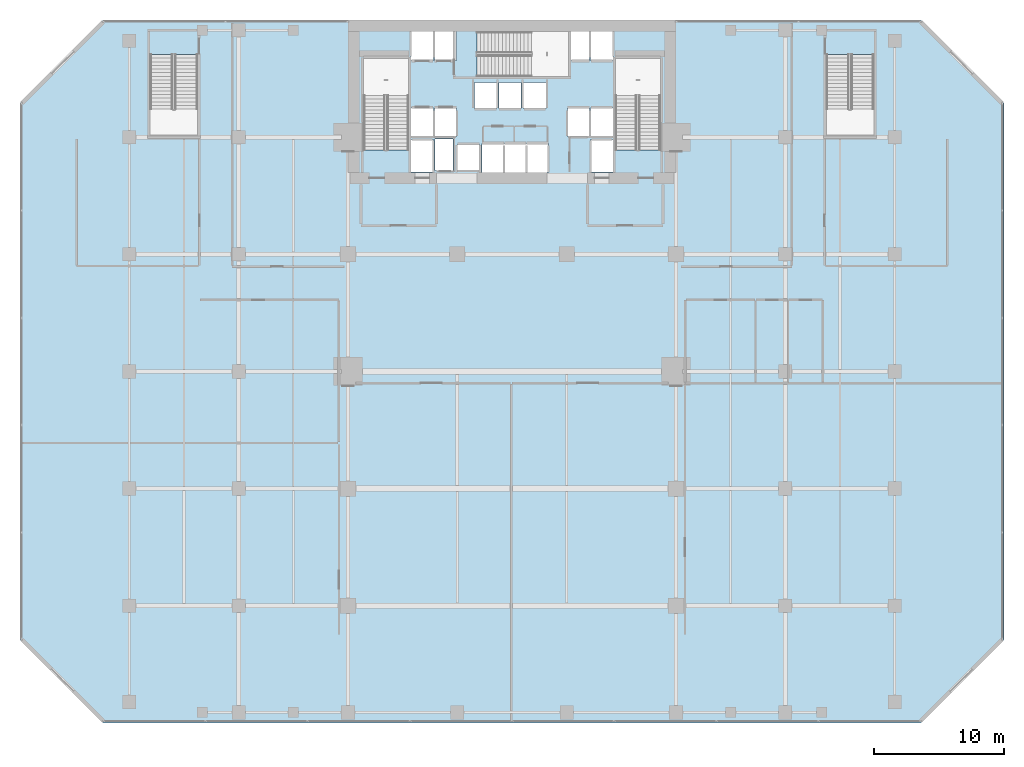
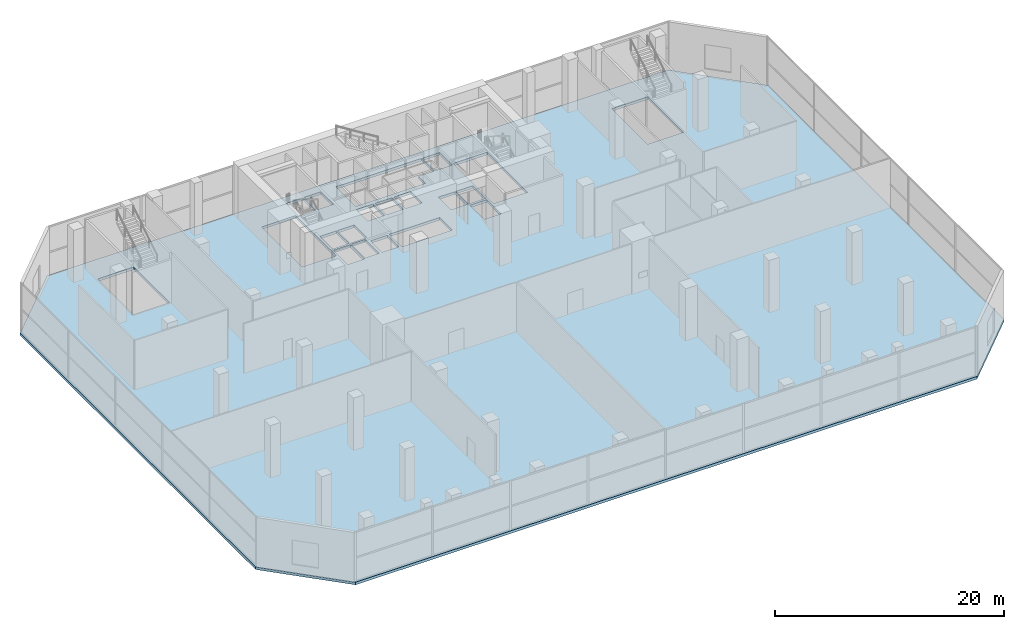
# One storey, part 32 of 40: 1 slab.
"""IFC4 building model written with IfcOpenShell, lengths in metres."""

from ifc_helpers import new_model, si_unit, direction, frame, origin, place, context, subcontext, project, spatial, polyline, outline, extrude, material, layer, layer_set, type_object, element, save


model = new_model("IFC4")

# Units and contexts
model_context = context("Model", 3, precision=1e-05, world=origin(), true_north=direction((0.0, 1.0)))
body_context = subcontext(model_context, "Body", "Model", "MODEL_VIEW")
ifc_project = project(units=[si_unit("LENGTHUNIT", "METRE"), si_unit("AREAUNIT", "SQUARE_METRE"), si_unit("VOLUMEUNIT", "CUBIC_METRE"), si_unit("PLANEANGLEUNIT", "RADIAN"), si_unit("MASSUNIT", "GRAM", prefix="KILO")], contexts=[model_context])

# Site, building, storey
site_placement = place(None, origin())
site = spatial("IfcSite", under=ifc_project, at=site_placement, CompositionType="ELEMENT")
building_placement = place(site_placement, origin())
building = spatial("IfcBuilding", under=site, at=building_placement, Name="Maruvema Waterfront Hotel and Observation Tower", CompositionType="ELEMENT")
storey_placement = place(building_placement, frame((0.0, 0.0, 10.85009765625)))
storey = spatial("IfcBuildingStorey", under=building, at=storey_placement, Name="L02", CompositionType="ELEMENT", Elevation=10.85009765625)

# Slab
ifc_material = material(Name="Concrete C50/60", Category="concrete")
ifc_layer = layer(ifc_material, 0.280029296875, Name="Reinforced Concrete Floor Slab 280 mm")
ifc_layer_set = layer_set([ifc_layer], Name="Concrete C50/60")
slab_type = type_object("IfcSlabType", Name="Reinforced Concrete Floor Slab 280 mm", PredefinedType="FLOOR", material=ifc_layer_set)
slab_placement = place(storey_placement, frame((0.0, 0.0, -0.280029296875)))
element("IfcSlab", 1, at=slab_placement, inside=storey, type_object=slab_type, Name="L02 Structural Floor Slab", PredefinedType="FLOOR", context=body_context, shape_type="SweptSolid", body=[
    extrude(outline(polyline([(6.39990234375, 0.0), (69.199951171875, 0.0), (75.60009765625, 6.39990234375), (75.60009765625, 47.60009765625), (69.199951171875, 54.0), (6.39990234375, 54.0), (0.0, 47.60009765625), (0.0, 6.39990234375), (6.39990234375, 0.0)]), holes=[polyline([(13.64990234375, 45.10009765625), (10.0, 45.10009765625), (10.0, 51.349365234375), (13.64990234375, 51.349365234375), (13.64990234375, 45.10009765625)]), polyline([(26.39990234375, 51.050048828125), (29.85009765625, 51.050048828125), (29.85009765625, 44.00048828125), (26.39990234375, 44.00048828125), (26.39990234375, 51.050048828125)]), polyline([(30.050048828125, 44.800048828125), (31.75, 44.800048828125), (31.75, 42.320068359375), (30.050048828125, 42.320068359375), (30.050048828125, 44.800048828125)]), polyline([(31.75, 47.25), (31.75, 45.050048828125), (30.050048828125, 45.050048828125), (30.050048828125, 47.25), (31.75, 47.25)]), polyline([(31.75, 53.10009765625), (31.75, 50.89990234375), (30.050048828125, 50.89990234375), (30.050048828125, 53.10009765625), (31.75, 53.10009765625)]), polyline([(33.280029296875, 44.860107421875), (33.280029296875, 42.43994140625), (31.8798828125, 42.43994140625), (31.8798828125, 44.860107421875), (33.280029296875, 44.860107421875)]), polyline([(31.85009765625, 47.25), (33.550048828125, 47.25), (33.550048828125, 45.050048828125), (31.85009765625, 45.050048828125), (31.85009765625, 47.25)]), polyline([(31.85009765625, 53.10009765625), (33.550048828125, 53.10009765625), (33.550048828125, 50.89990234375), (31.85009765625, 50.89990234375), (31.85009765625, 53.10009765625)]), polyline([(33.60009765625, 44.449951171875), (35.300048828125, 44.449951171875), (35.300048828125, 42.449951171875), (33.60009765625, 42.449951171875), (33.60009765625, 44.449951171875)]), polyline([(36.60009765625, 49.199951171875), (36.60009765625, 47.199951171875), (34.89990234375, 47.199951171875), (34.89990234375, 49.199951171875), (36.60009765625, 49.199951171875)]), polyline([(36.800048828125, 49.199951171875), (38.5, 49.199951171875), (38.5, 47.199951171875), (36.800048828125, 47.199951171875), (36.800048828125, 49.199951171875)]), polyline([(35.5, 44.5), (40.60009765625, 44.5), (40.60009765625, 42.300048828125), (35.5, 42.300048828125), (35.5, 44.5)]), polyline([(43.75, 50.89990234375), (42.14990234375, 50.89990234375), (42.14990234375, 49.64990234375), (35.1005859375, 49.64990234375), (35.1005859375, 53.10009765625), (43.75, 53.10009765625), (43.75, 50.89990234375)]), polyline([(40.39990234375, 49.199951171875), (40.39990234375, 47.199951171875), (38.699951171875, 47.199951171875), (38.699951171875, 49.199951171875), (40.39990234375, 49.199951171875)]), polyline([(43.75, 47.25), (43.75, 45.050048828125), (42.050048828125, 45.050048828125), (42.050048828125, 47.25), (43.75, 47.25)]), polyline([(43.85009765625, 44.800048828125), (45.550048828125, 44.800048828125), (45.550048828125, 42.320068359375), (43.85009765625, 42.320068359375), (43.85009765625, 44.800048828125)]), polyline([(45.550048828125, 47.25), (45.550048828125, 45.050048828125), (43.85009765625, 45.050048828125), (43.85009765625, 47.25), (45.550048828125, 47.25)]), polyline([(45.550048828125, 53.10009765625), (45.550048828125, 50.89990234375), (43.85009765625, 50.89990234375), (43.85009765625, 53.10009765625), (45.550048828125, 53.10009765625)]), polyline([(45.75, 44.00048828125), (45.75, 51.050048828125), (49.199951171875, 51.050048828125), (49.199951171875, 44.00048828125), (45.75, 44.00048828125)]), polyline([(65.60009765625, 45.10009765625), (61.949951171875, 45.10009765625), (61.949951171875, 51.349365234375), (65.60009765625, 51.349365234375), (65.60009765625, 45.10009765625)])]), origin(), (0.0, 0.0, 1.0), 0.280029296875),
])

save(model, "model.ifc")
